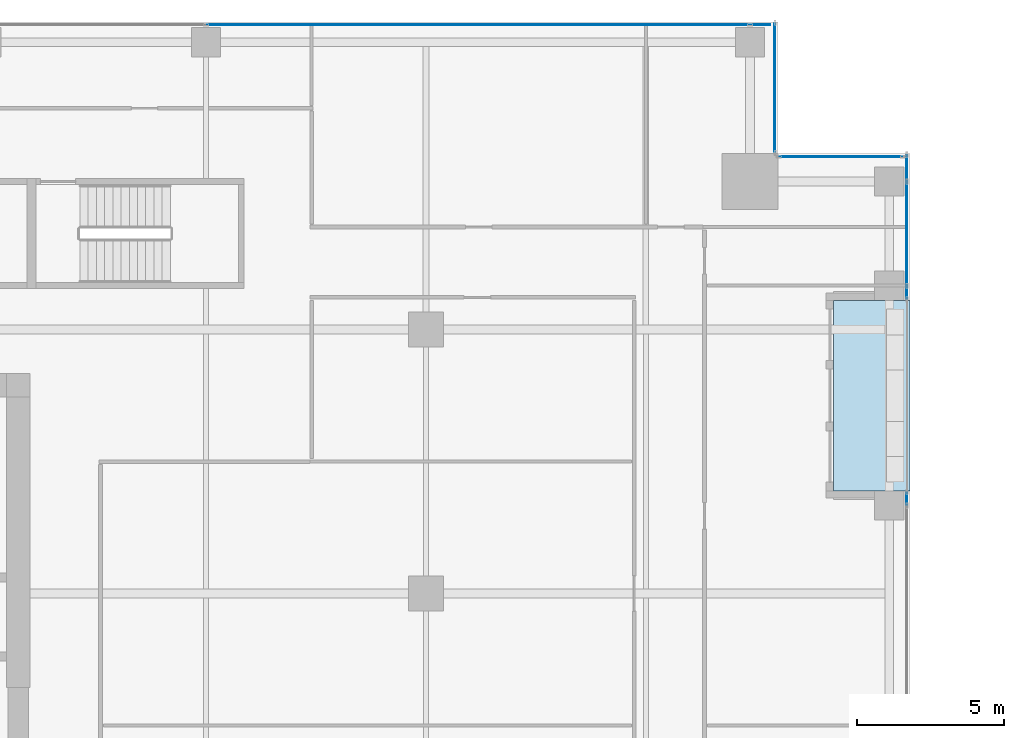
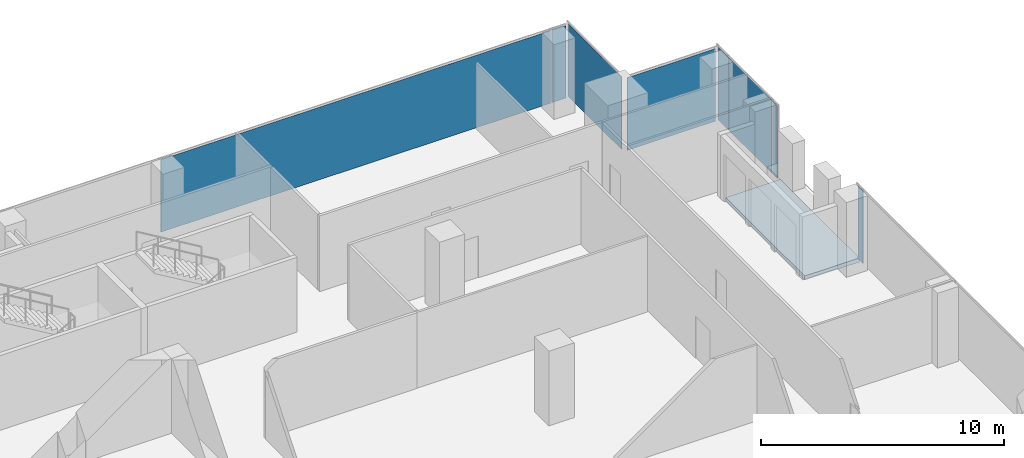
# One storey, part 31 of 38: 8 plates, 1 slab, 5 elements without a shape of their own.
"""IFC4 building model written with IfcOpenShell, lengths in metres."""

from ifc_helpers import new_model, si_unit, direction, frame, origin, origin_2d, place, context, subcontext, project, spatial, polyline, rectangle, outline, extrude, source, transform, mapped, material, layer, layer_set, type_object, element, aggregate, save


model = new_model("IFC4")

# Units and contexts
model_context = context("Model", 3, precision=1e-05, world=origin(), true_north=direction((0.0, 1.0)))
body_context = subcontext(model_context, "Body", "Model", "MODEL_VIEW")
ifc_project = project(units=[si_unit("LENGTHUNIT", "METRE"), si_unit("AREAUNIT", "SQUARE_METRE"), si_unit("VOLUMEUNIT", "CUBIC_METRE"), si_unit("PLANEANGLEUNIT", "RADIAN"), si_unit("MASSUNIT", "GRAM", prefix="KILO")], contexts=[model_context])

# Site, building, storey
site_placement = place(None, origin())
site = spatial("IfcSite", under=ifc_project, at=site_placement, CompositionType="ELEMENT")
building_placement = place(site_placement, origin())
building = spatial("IfcBuilding", under=site, at=building_placement, Name="Khomas Fold Tower", CompositionType="ELEMENT")
storey_placement = place(building_placement, frame((0.0, 0.0, 196.699951171875)))
storey = spatial("IfcBuildingStorey", under=building, at=storey_placement, Name="L43", CompositionType="ELEMENT", Elevation=196.699951171875)

# Curtain wall, plate
ifc_material_1 = material(Name="Aluminium framed double glazing", Category="aluminium")
curtain_wall_type = type_object("IfcCurtainWallType", Name="SK-Unitised clear-glass wall, office floors CW2", PredefinedType="NOTDEFINED", material=ifc_material_1)
curtain_wall_1_placement = place(storey_placement, origin())
curtain_wall_1 = element("IfcCurtainWall", 1, at=curtain_wall_1_placement, inside=storey, type_object=curtain_wall_type, Name="CW2 corner return L43 05", PredefinedType="NOTDEFINED")
ifc_material_2 = material(Name="Clear double glazed unit")
ifc_layer_1 = layer(ifc_material_2, 0.030029296875)
ifc_layer_set_1 = layer_set([ifc_layer_1], Name="Clear double glazed unit")
plate_type = type_object("IfcPlateType", Name="SK-Unitised clear-glass wall, office floors glass panel CW2-P", PredefinedType="CURTAIN_PANEL", material=ifc_layer_set_1)
shared_shape_1 = source(origin(), body_context, "Body", "SweptSolid", [
    extrude(rectangle(XDim=4.3798828125, YDim=0.030029296875, at=origin_2d()), origin(), (0.0, 0.0, 1.0), 3.639892578125),
])
plate_1_placement = place(storey_placement, frame((46.39990234375, 48.75, 0.0), z_axis=(0.0, 0.0, 1.0), x_axis=(0.0, 1.0, 0.0)))
plate_1 = element("IfcPlate", 2, at=plate_1_placement, type_object=plate_type, Name="CW2 glass panel 1", PredefinedType="CURTAIN_PANEL", context=body_context, shape_type="MappedRepresentation", body=[
    mapped(shared_shape_1, transform((0.0, 0.0, 0.0))),
])
aggregate(curtain_wall_1, [plate_1])

curtain_wall_2_placement = place(storey_placement, origin())
curtain_wall_2 = element("IfcCurtainWall", 3, at=curtain_wall_2_placement, inside=storey, type_object=curtain_wall_type, Name="CW2 run L43 06-0", PredefinedType="NOTDEFINED")
shared_shape_2 = source(origin(), body_context, "Body", "SweptSolid", [
    extrude(rectangle(XDim=0.659912109375, YDim=0.030029296875, at=origin_2d()), origin(), (0.0, 0.0, 1.0), 3.639892578125),
])
plate_2_placement = place(storey_placement, frame((45.909912109375, 50.89990234375, 0.0), z_axis=(0.0, 0.0, 1.0), x_axis=(-1.0, 0.0, 0.0)))
plate_2 = element("IfcPlate", 4, at=plate_2_placement, type_object=plate_type, Name="CW2 glass panel 1", PredefinedType="CURTAIN_PANEL", context=body_context, shape_type="MappedRepresentation", body=[
    mapped(shared_shape_2, transform((0.0, 0.0, 0.0))),
])

curtain_wall_3_placement = place(storey_placement, origin())
curtain_wall_3 = element("IfcCurtainWall", 5, at=curtain_wall_3_placement, inside=storey, type_object=curtain_wall_type, Name="CW2 run L43 03-1", PredefinedType="NOTDEFINED")
shared_shape_3 = source(origin(), body_context, "Body", "SweptSolid", [
    extrude(rectangle(XDim=3.489990234375, YDim=0.030029296875, at=origin_2d()), origin(), (0.0, 0.0, 1.0), 3.639892578125),
])
plate_3_placement = place(storey_placement, frame((50.89990234375, 43.77490234375, 0.0), z_axis=(0.0, 0.0, 1.0), x_axis=(0.0, 1.0, 0.0)))
plate_3 = element("IfcPlate", 6, at=plate_3_placement, type_object=plate_type, Name="CW2 glass panel 2", PredefinedType="CURTAIN_PANEL", context=body_context, shape_type="MappedRepresentation", body=[
    mapped(shared_shape_3, transform((0.0, 0.0, 0.0))),
])

curtain_wall_4_placement = place(storey_placement, origin())
curtain_wall_4 = element("IfcCurtainWall", 7, at=curtain_wall_4_placement, inside=storey, type_object=curtain_wall_type, Name="CW2 corner return L43 04", PredefinedType="NOTDEFINED")
shared_shape_4 = source(origin(), body_context, "Body", "SweptSolid", [
    extrude(rectangle(XDim=4.179931640625, YDim=0.030029296875, at=origin_2d()), origin(), (0.0, 0.0, 1.0), 3.639892578125),
])
plate_4_placement = place(storey_placement, frame((48.64990234375, 46.39990234375, 0.0), z_axis=(0.0, 0.0, 1.0), x_axis=(-1.0, 0.0, 0.0)))
plate_4 = element("IfcPlate", 8, at=plate_4_placement, type_object=plate_type, Name="CW2 glass panel 1", PredefinedType="CURTAIN_PANEL", context=body_context, shape_type="MappedRepresentation", body=[
    mapped(shared_shape_4, transform((0.0, 0.0, 0.0))),
])
aggregate(curtain_wall_4, [plate_4])

curtain_wall_5_placement = place(storey_placement, origin())
curtain_wall_5 = element("IfcCurtainWall", 9, at=curtain_wall_5_placement, inside=storey, type_object=curtain_wall_type, Name="CW2 run L43 03-0", PredefinedType="NOTDEFINED")
shared_shape_5 = source(origin(), body_context, "Body", "SweptSolid", [
    extrude(rectangle(XDim=0.409912109375, YDim=0.030029296875, at=origin_2d()), origin(), (0.0, 0.0, 1.0), 3.639892578125),
])
plate_5_placement = place(storey_placement, frame((50.89990234375, 34.735107421875, 0.0), z_axis=(0.0, 0.0, 1.0), x_axis=(0.0, 1.0, 0.0)))
plate_5 = element("IfcPlate", 10, at=plate_5_placement, type_object=plate_type, Name="CW2 glass panel 6", PredefinedType="CURTAIN_PANEL", context=body_context, shape_type="MappedRepresentation", body=[
    mapped(shared_shape_5, transform((0.0, 0.0, 0.0))),
])
aggregate(curtain_wall_5, [plate_5])

# Plate
plate_6_placement = place(storey_placement, frame((50.89990234375, 41.764892578125, 0.0), z_axis=(0.0, 0.0, 1.0), x_axis=(0.0, 1.0, 0.0)))
plate_6 = element("IfcPlate", 11, at=plate_6_placement, type_object=plate_type, Name="CW2 glass panel 1", PredefinedType="CURTAIN_PANEL", context=body_context, shape_type="MappedRepresentation", body=[
    mapped(shared_shape_5, transform((0.0, 0.0, 0.0))),
])

shared_shape_6 = source(origin(), body_context, "Body", "SweptSolid", [
    extrude(rectangle(XDim=0.860107421875, YDim=0.030029296875, at=origin_2d()), origin(), (0.0, 0.0, 1.0), 3.639892578125),
])
plate_7_placement = place(storey_placement, frame((50.89990234375, 46.010009765625, 0.0), z_axis=(0.0, 0.0, 1.0), x_axis=(0.0, 1.0, 0.0)))
plate_7 = element("IfcPlate", 12, at=plate_7_placement, type_object=plate_type, Name="CW2 glass panel 3", PredefinedType="CURTAIN_PANEL", context=body_context, shape_type="MappedRepresentation", body=[
    mapped(shared_shape_6, transform((0.0, 0.0, 0.0))),
])

aggregate(curtain_wall_3, [plate_6, plate_3, plate_7])

shared_shape_7 = source(origin(), body_context, "Body", "SweptSolid", [
    extrude(rectangle(XDim=18.489990234375, YDim=0.030029296875, at=origin_2d()), origin(), (0.0, 0.0, 1.0), 3.639892578125),
])
plate_8_placement = place(storey_placement, frame((36.27490234375, 50.89990234375, 0.0), z_axis=(0.0, 0.0, 1.0), x_axis=(-1.0, 0.0, 0.0)))
plate_8 = element("IfcPlate", 13, at=plate_8_placement, type_object=plate_type, Name="CW2 glass panel 2", PredefinedType="CURTAIN_PANEL", context=body_context, shape_type="MappedRepresentation", body=[
    mapped(shared_shape_7, transform((0.0, 0.0, 0.0))),
])

aggregate(curtain_wall_2, [plate_2, plate_8])

# Slab
ifc_material_3 = material(Name="Concrete C40/50", Category="concrete")
ifc_layer_2 = layer(ifc_material_3, 0.205078125)
ifc_layer_set_2 = layer_set([ifc_layer_2], Name="Concrete C40/50")
slab_type = type_object("IfcSlabType", Name="BL-Balcony deck 205", PredefinedType="FLOOR", material=ifc_layer_set_2)
shared_shape_8 = source(origin(), body_context, "Body", "SweptSolid", [
    extrude(outline(polyline([(48.39990234375, 35.0), (51.0, 35.0), (51.0, 41.5), (48.39990234375, 41.5), (48.39990234375, 35.0)])), origin(), (0.0, 0.0, 1.0), 0.205078125),
])
slab_placement = place(storey_placement, frame((0.0, 0.0, -0.25)))
element("IfcSlab", 14, at=slab_placement, inside=storey, type_object=slab_type, Name="Balcony deck BAL-L43-E4", PredefinedType="FLOOR", context=body_context, shape_type="MappedRepresentation", body=[
    mapped(shared_shape_8, transform((0.0, 0.0, 0.0))),
])

save(model, "model.ifc")
